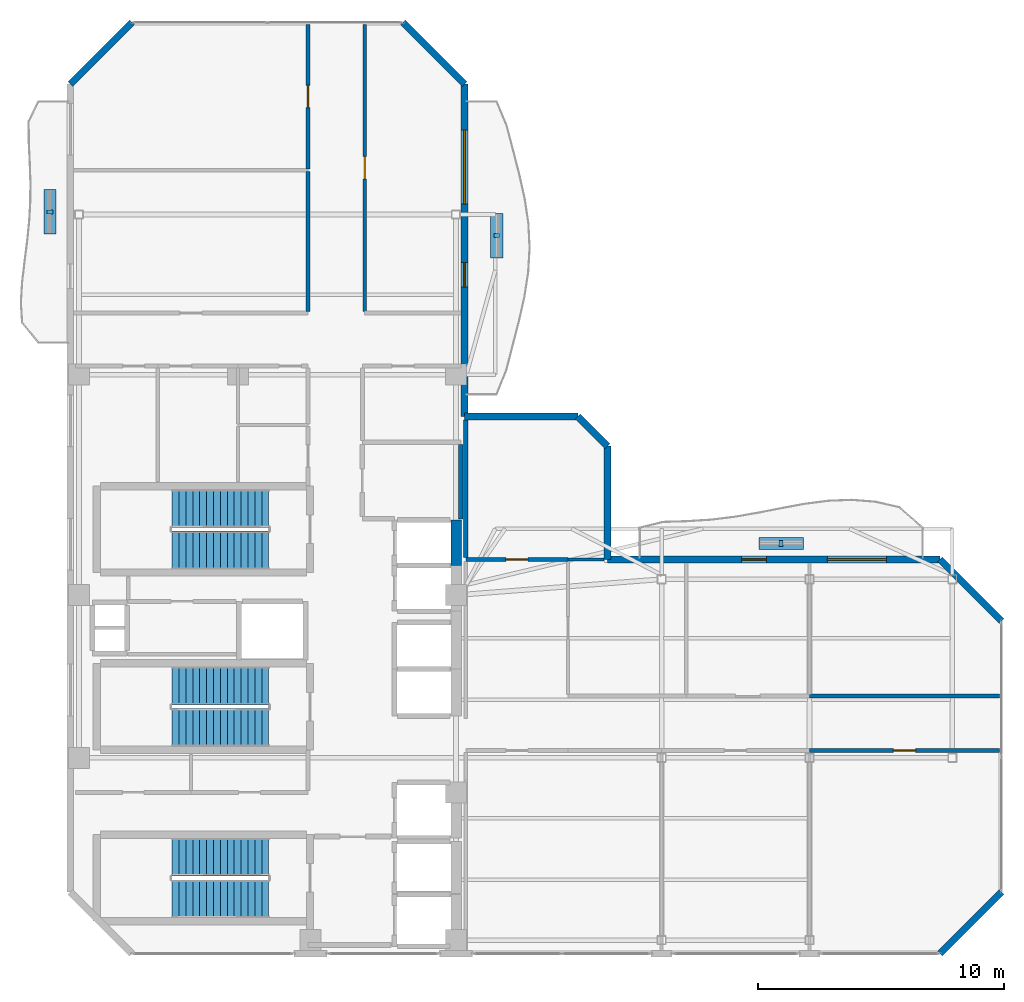
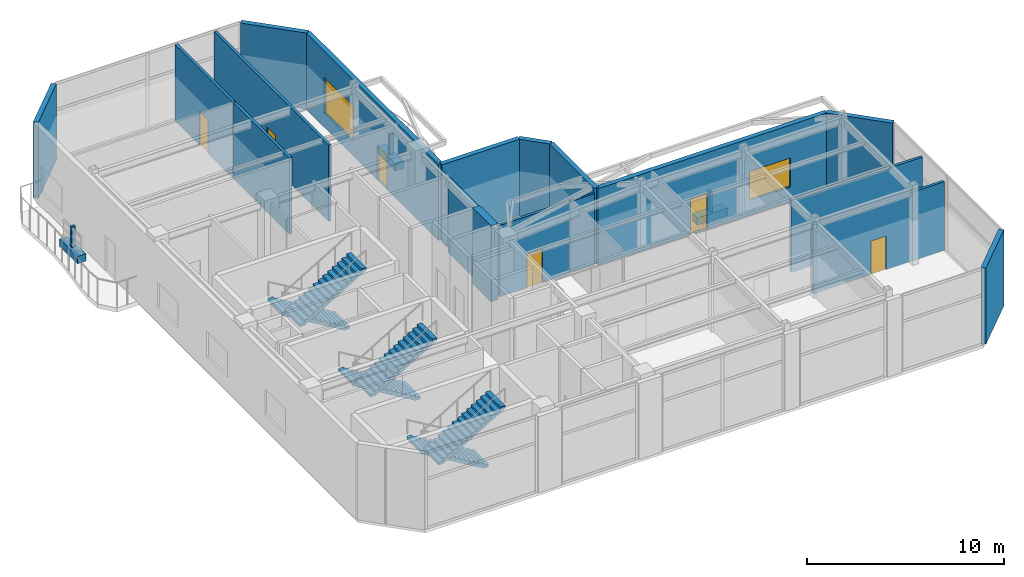
# One storey, part 13 of 15: 19 walls, 6 discrete accessories, 6 doors, 6 stair flights, 2 windows, 8 openings, 3 elements without a shape of their own.
"""IFC4 building model written with IfcOpenShell, lengths in metres."""

from ifc_helpers import new_model, si_unit, direction, frame, frame_2d, origin, origin_2d, place, context, subcontext, project, spatial, polyline, rectangle, outline, extrude, material, layer, layer_set, type_object, element, fill, aggregate, save


model = new_model("IFC4")

# Units and contexts
model_context = context("Model", 3, precision=1e-05, world=origin(), true_north=direction((0.0, 1.0)))
body_context = subcontext(model_context, "Body", "Model", "MODEL_VIEW")
ifc_project = project(units=[si_unit("LENGTHUNIT", "METRE"), si_unit("AREAUNIT", "SQUARE_METRE"), si_unit("VOLUMEUNIT", "CUBIC_METRE"), si_unit("PLANEANGLEUNIT", "RADIAN"), si_unit("MASSUNIT", "GRAM", prefix="KILO")], contexts=[model_context])

# Site, building, storey
site_placement = place(None, origin())
site = spatial("IfcSite", under=ifc_project, at=site_placement, CompositionType="ELEMENT")
building_placement = place(site_placement, origin())
building = spatial("IfcBuilding", under=site, at=building_placement, Name="Mawjaban Terraces University", CompositionType="ELEMENT")
storey_placement = place(building_placement, frame((0.0, 0.0, 306.699951171875)))
storey = spatial("IfcBuildingStorey", under=building, at=storey_placement, Name="L75", CompositionType="ELEMENT", Elevation=306.699951171875)

# Walls
ifc_material_1 = material(Name="Acoustic masonry blockwork", Category="masonry")
ifc_layer_1 = layer(ifc_material_1, 0.179931640625)
ifc_layer_set_1 = layer_set([ifc_layer_1], Name="Acoustic masonry blockwork")
wall_type_1 = type_object("IfcWallType", Name="AcousticStudioWall_180", PredefinedType="PARTITIONING", material=ifc_layer_set_1)
wall_1_placement = place(storey_placement, frame((37.85009765625, 17.64990234375, 0.0), z_axis=(0.0, 0.0, 1.0), x_axis=(0.0, 1.0, 0.0)))
element("IfcWall", 1, at=wall_1_placement, inside=storey, type_object=wall_type_1, Name="L75 Graduate Research Collaboration Studio Partition 39", PredefinedType="PARTITIONING", context=body_context, shape_type="SweptSolid", body=[
    extrude(rectangle(XDim=3.01513671875, YDim=0.179931640625, at=frame_2d((1.507568359375, 0.0))), origin(), (0.0, 0.0, 1.0), 4.277099609375),
])
wall_2_placement = place(storey_placement, frame((38.050048828125, 21.66796875, 0.0), z_axis=(0.0, 0.0, 1.0), x_axis=(0.0, -1.0, 0.0)))
element("IfcWall", 2, at=wall_2_placement, inside=storey, type_object=wall_type_1, Name="L75 Courtyard Viewpoint Study Gallery Partition 43", PredefinedType="PARTITIONING", context=body_context, shape_type="SweptSolid", body=[
    extrude(rectangle(XDim=5.593017578125, YDim=0.179931640625, at=frame_2d((2.79638671875, 0.0))), origin(), (0.0, 0.0, 1.0), 4.277099609375),
])
ifc_material_2 = material(Name="Concrete C50/60", Category="concrete")
ifc_layer_2 = layer(ifc_material_2, 0.419921875)
ifc_layer_set_2 = layer_set([ifc_layer_2], Name="Concrete C50/60")
wall_type_2 = type_object("IfcWallType", Name="CoreShearWall_420", PredefinedType="SHEAR", material=ifc_layer_set_2)
wall_3_placement = place(storey_placement, frame((37.659912109375, 15.75, 0.0), z_axis=(0.0, 0.0, 1.0), x_axis=(0.0, 1.0, 0.0)))
element("IfcWall", 3, at=wall_3_placement, inside=storey, type_object=wall_type_2, Name="L75 Lift OL-2 Hoistway Wall East", PredefinedType="SHEAR", context=body_context, shape_type="SweptSolid", body=[
    extrude(rectangle(XDim=1.85009765625, YDim=0.419921875, at=frame_2d((0.925048828125, 0.0))), origin(), (0.0, 0.0, 1.0), 4.739990234375),
])

# Wall, opening, door
ifc_material_3 = material(Name="Fire-rated gypsum board on steel stud", Category="steel")
ifc_layer_3 = layer(ifc_material_3, 0.159912109375)
ifc_layer_set_3 = layer_set([ifc_layer_3], Name="Fire-rated gypsum board on steel stud")
wall_type_3 = type_object("IfcWallType", Name="CorridorPartition_160", PredefinedType="PARTITIONING", material=ifc_layer_set_3)
wall_4_placement = place(storey_placement, frame((42.199951171875, 16.0, 0.0), z_axis=(0.0, 0.0, 1.0), x_axis=(-1.0, 0.0, 0.0)))
wall_4 = element("IfcWall", 4, at=wall_4_placement, inside=storey, type_object=wall_type_3, Name="L75 Observation East Corridor Partition 19", PredefinedType="PARTITIONING", context=body_context, shape_type="SweptSolid", body=[
    extrude(rectangle(XDim=4.14990234375, YDim=0.159912109375, at=frame_2d((2.074951171875, 0.0))), origin(), (0.0, 0.0, 1.0), 4.43994140625),
])
opening_1_placement = place(wall_4_placement, frame((1.625, 0.0, 0.0)))
opening_1 = element("IfcOpeningElement", 5, at=opening_1_placement, cuts=wall_4, Name="Opening ID-090", PredefinedType="OPENING", context=body_context, shape_type="SweptSolid", body=[
    extrude(rectangle(XDim=0.89990234375, YDim=2.10009765625, at=frame_2d((0.449951171875, 1.050048828125))), frame((0.0, 0.08984375, 0.0), z_axis=(0.0, -1.0, 0.0), x_axis=(1.0, 0.0, 0.0)), (0.0, 0.0, 1.0), 0.179931640625),
])
ifc_material_4 = material(Name="Powder-coated steel frame and solid acoustic timber leaf", Category="steel")
door_type_1 = type_object("IfcDoorType", Name="OfficeDoor_900x2100", OperationType="NOTDEFINED", PredefinedType="DOOR", material=ifc_material_4)
door_1_placement = place(opening_1_placement, origin())
door_1 = element("IfcDoor", 6, at=door_1_placement, inside=storey, type_object=door_type_1, Name="L75 Courtyard Viewpoint Study Gallery Door", OperationType="SINGLE_SWING_LEFT", OverallHeight=2.10009765625, OverallWidth=0.89990234375, PredefinedType="DOOR", context=body_context, shape_type="SweptSolid", body=[
    extrude(rectangle(XDim=0.89990234375, YDim=2.10009765625, at=frame_2d((0.449951171875, 1.050048828125))), frame((0.0, 0.02490234375, 0.0), z_axis=(0.0, -1.0, 0.0), x_axis=(1.0, 0.0, 0.0)), (0.0, 0.0, 1.0), 0.050048828125),
])
fill(opening_1, door_1)

wall_5_placement = place(storey_placement, frame((52.0, 8.25, 0.0), z_axis=(0.0, 0.0, 1.0), x_axis=(1.0, 0.0, 0.0)))
wall_5 = element("IfcWall", 7, at=wall_5_placement, inside=storey, type_object=wall_type_3, Name="L75 Observation Gallery Corridor Partition 23", PredefinedType="PARTITIONING", context=body_context, shape_type="SweptSolid", body=[
    extrude(rectangle(XDim=7.719970703125, YDim=0.159912109375, at=frame_2d((3.85986328125, 0.0))), origin(), (0.0, 0.0, 1.0), 4.277099609375),
])
opening_2_placement = place(wall_5_placement, frame((3.409912109375, 0.0, 0.0)))
opening_2 = element("IfcOpeningElement", 8, at=opening_2_placement, cuts=wall_5, Name="Opening ID-090", PredefinedType="OPENING", context=body_context, shape_type="SweptSolid", body=[
    extrude(rectangle(XDim=0.89990234375, YDim=2.10009765625, at=frame_2d((0.449951171875, 1.050048828125))), frame((0.0, 0.08984375, 0.0), z_axis=(0.0, -1.0, 0.0), x_axis=(1.0, 0.0, 0.0)), (0.0, 0.0, 1.0), 0.179931640625),
])
door_2_placement = place(opening_2_placement, origin())
door_2 = element("IfcDoor", 9, at=door_2_placement, inside=storey, type_object=door_type_1, Name="L75 Panoramic Mecca Horizon Lookout Hall Door", OperationType="SINGLE_SWING_RIGHT", OverallHeight=2.10009765625, OverallWidth=0.89990234375, PredefinedType="DOOR", context=body_context, shape_type="SweptSolid", body=[
    extrude(rectangle(XDim=0.89990234375, YDim=2.10009765625, at=frame_2d((0.449951171875, 1.050048828125))), frame((0.0, 0.02490234375, 0.0), z_axis=(0.0, -1.0, 0.0), x_axis=(1.0, 0.0, 0.0)), (0.0, 0.0, 1.0), 0.050048828125),
])
fill(opening_2, door_2)

# Walls
wall_6_placement = place(storey_placement, frame((59.719970703125, 10.449951171875, 0.0), z_axis=(0.0, 0.0, 1.0), x_axis=(-1.0, 0.0, 0.0)))
element("IfcWall", 10, at=wall_6_placement, inside=storey, type_object=wall_type_3, Name="L75 Observation Gallery Corridor Partition 25", PredefinedType="PARTITIONING", context=body_context, shape_type="SweptSolid", body=[
    extrude(rectangle(XDim=7.719970703125, YDim=0.159912109375, at=frame_2d((3.85986328125, 0.0))), origin(), (0.0, 0.0, 1.0), 4.47412109375),
])
wall_7_placement = place(storey_placement, frame((31.64990234375, 31.741943359375, 0.0), z_axis=(0.0, 0.0, 1.0), x_axis=(0.0, -1.0, 0.0)))
element("IfcWall", 11, at=wall_7_placement, inside=storey, type_object=wall_type_3, Name="L75 Observation North Corridor Partition 34", PredefinedType="PARTITIONING", context=body_context, shape_type="SweptSolid", body=[
    extrude(rectangle(XDim=5.6669921875, YDim=0.159912109375, at=frame_2d((2.83349609375, 0.0))), origin(), (0.0, 0.0, 1.0), 4.739990234375),
])

# Wall, opening, door
wall_8_placement = place(storey_placement, frame((31.64990234375, 37.719970703125, 0.0), z_axis=(0.0, 0.0, 1.0), x_axis=(0.0, -1.0, 0.0)))
wall_8 = element("IfcWall", 12, at=wall_8_placement, inside=storey, type_object=wall_type_3, Name="L75 Observation North Corridor Partition 35", PredefinedType="PARTITIONING", context=body_context, shape_type="SweptSolid", body=[
    extrude(rectangle(XDim=5.862060546875, YDim=0.159912109375, at=frame_2d((2.93115234375, 0.0))), origin(), (0.0, 0.0, 1.0), 4.739990234375),
])
opening_3_placement = place(wall_8_placement, frame((2.48095703125, 0.0, 0.0)))
opening_3 = element("IfcOpeningElement", 13, at=opening_3_placement, cuts=wall_8, Name="Opening ID-090", PredefinedType="OPENING", context=body_context, shape_type="SweptSolid", body=[
    extrude(rectangle(XDim=0.89990234375, YDim=2.10009765625, at=frame_2d((0.449951171875, 1.050048828125))), frame((0.0, 0.08984375, 0.0), z_axis=(0.0, -1.0, 0.0), x_axis=(1.0, 0.0, 0.0)), (0.0, 0.0, 1.0), 0.179931640625),
])
door_3_placement = place(opening_3_placement, origin())
door_3 = element("IfcDoor", 14, at=door_3_placement, inside=storey, type_object=door_type_1, Name="L75 Architecture Heritage Gallery 2 Door", OperationType="SINGLE_SWING_LEFT", OverallHeight=2.10009765625, OverallWidth=0.89990234375, PredefinedType="DOOR", context=body_context, shape_type="SweptSolid", body=[
    extrude(rectangle(XDim=0.89990234375, YDim=2.10009765625, at=frame_2d((0.449951171875, 1.050048828125))), frame((0.0, 0.02490234375, 0.0), z_axis=(0.0, -1.0, 0.0), x_axis=(1.0, 0.0, 0.0)), (0.0, 0.0, 1.0), 0.050048828125),
])
fill(opening_3, door_3)

wall_9_placement = place(storey_placement, frame((33.949951171875, 26.074951171875, 0.0), z_axis=(0.0, 0.0, 1.0), x_axis=(0.0, 1.0, 0.0)))
wall_9 = element("IfcWall", 15, at=wall_9_placement, inside=storey, type_object=wall_type_3, Name="L75 Observation North Corridor Partition 38", PredefinedType="PARTITIONING", context=body_context, shape_type="SweptSolid", body=[
    extrude(rectangle(XDim=11.64501953125, YDim=0.159912109375, at=frame_2d((5.822509765625, 0.0))), origin(), (0.0, 0.0, 1.0), 4.739990234375),
])
opening_4_placement = place(wall_9_placement, frame((5.3720703125, 0.0, 0.0)))
opening_4 = element("IfcOpeningElement", 16, at=opening_4_placement, cuts=wall_9, Name="Opening ID-090", PredefinedType="OPENING", context=body_context, shape_type="SweptSolid", body=[
    extrude(rectangle(XDim=0.89990234375, YDim=2.10009765625, at=frame_2d((0.449951171875, 1.050048828125))), frame((0.0, 0.08984375, 0.0), z_axis=(0.0, -1.0, 0.0), x_axis=(1.0, 0.0, 0.0)), (0.0, 0.0, 1.0), 0.179931640625),
])
door_4_placement = place(opening_4_placement, origin())
door_4 = element("IfcDoor", 17, at=door_4_placement, inside=storey, type_object=door_type_1, Name="L75 Observatory Curatorial Office Door", OperationType="SINGLE_SWING_RIGHT", OverallHeight=2.10009765625, OverallWidth=0.89990234375, PredefinedType="DOOR", context=body_context, shape_type="SweptSolid", body=[
    extrude(rectangle(XDim=0.89990234375, YDim=2.10009765625, at=frame_2d((0.449951171875, 1.050048828125))), frame((0.0, 0.02490234375, 0.0), z_axis=(0.0, -1.0, 0.0), x_axis=(1.0, 0.0, 0.0)), (0.0, 0.0, 1.0), 0.050048828125),
])
fill(opening_4, door_4)

# Walls
ifc_material_5 = material(Name="Insulated terracotta rainscreen on concrete backup C40/50", Category="masonry")
ifc_layer_4 = layer(ifc_material_5, 0.27490234375)
ifc_layer_set_4 = layer_set([ifc_layer_4], Name="Insulated terracotta rainscreen on concrete backup C40/50")
wall_type_4 = type_object("IfcWallType", Name="ExtTerracottaWall_275", PredefinedType="SOLIDWALL", material=ifc_layer_set_4)
for number, where, z_axis, x_axis, name in (
    (18, (57.300048828125, 0.0, 0.0), (0.0, 0.0, 1.0), (0.707106781187, 0.707106781187, 0.0), "L75 Exterior Terracotta Wall 2"),
    (19, (59.800048828125, 13.5, 0.0), (0.0, 0.0, 1.0), (-0.707106781187, 0.707106781187, 0.0), "L75 Exterior Terracotta Wall 4"),
):
    element("IfcWall", number, at=place(storey_placement, frame(where, z_axis=z_axis, x_axis=x_axis)), inside=storey, type_object=wall_type_4, Name=name, PredefinedType="SOLIDWALL", context=body_context, shape_type="SweptSolid", body=[
        extrude(rectangle(XDim=3.53564453125, YDim=0.27490234375, at=frame_2d((1.767822265625, 0.0))), origin(), (0.0, 0.0, 1.0), 4.739990234375),
    ])

# Wall, openings, door, window
wall_10_placement = place(storey_placement, frame((57.300048828125, 16.0, 0.0), z_axis=(0.0, 0.0, 1.0), x_axis=(-1.0, 0.0, 0.0)))
wall_10 = element("IfcWall", 20, at=wall_10_placement, inside=storey, type_object=wall_type_4, Name="L75 Exterior Terracotta Wall 5", PredefinedType="SOLIDWALL", context=body_context, shape_type="SweptSolid", body=[
    extrude(rectangle(XDim=13.5, YDim=0.27490234375, at=frame_2d((6.75, 0.0))), origin(), (0.0, 0.0, 1.0), 4.739990234375),
])
opening_5_placement = place(wall_10_placement, frame((7.050048828125, 0.0, 0.0)))
opening_5 = element("IfcOpeningElement", 21, at=opening_5_placement, cuts=wall_10, Name="Opening BD-100", PredefinedType="OPENING", context=body_context, shape_type="SweptSolid", body=[
    extrude(rectangle(XDim=1.0, YDim=2.199951171875, at=frame_2d((0.5, 1.10009765625))), frame((0.0, 0.1474609375, 0.0), z_axis=(0.0, -1.0, 0.0), x_axis=(1.0, 0.0, 0.0)), (0.0, 0.0, 1.0), 0.294921875),
])
opening_6_placement = place(wall_10_placement, frame((2.175048828125, 0.0, 0.89990234375)))
opening_6 = element("IfcOpeningElement", 22, at=opening_6_placement, cuts=wall_10, Name="Opening W-08", PredefinedType="OPENING", context=body_context, shape_type="SweptSolid", body=[
    extrude(rectangle(XDim=2.39990234375, YDim=1.800048828125, at=frame_2d((1.199951171875, 0.89990234375))), frame((0.0, 0.1474609375, 0.0), z_axis=(0.0, -1.0, 0.0), x_axis=(1.0, 0.0, 0.0)), (0.0, 0.0, 1.0), 0.294921875),
])
ifc_material_6 = material(Name="Thermally broken anodised aluminium and laminated safety glass", Category="aluminium")
door_type_2 = type_object("IfcDoorType", Name="BalconyGlazedDoor_1000x2200", OperationType="NOTDEFINED", PredefinedType="DOOR", material=ifc_material_6)
door_5_placement = place(opening_5_placement, origin())
door_5 = element("IfcDoor", 23, at=door_5_placement, inside=storey, type_object=door_type_2, Name="L75 Balcony Access Door inner_north", OperationType="SINGLE_SWING_RIGHT", OverallHeight=2.199951171875, OverallWidth=1.0, PredefinedType="DOOR", context=body_context, shape_type="SweptSolid", body=[
    extrude(rectangle(XDim=1.0, YDim=2.199951171875, at=frame_2d((0.5, 1.10009765625))), frame((0.0, 0.02490234375, 0.0), z_axis=(0.0, -1.0, 0.0), x_axis=(1.0, 0.0, 0.0)), (0.0, 0.0, 1.0), 0.050048828125),
])
fill(opening_5, door_5)
ifc_material_7 = material(Name="Low-E solar-control double glazing in thermally broken aluminium frame", Category="aluminium")
window_type_1 = type_object("IfcWindowType", Name="Win_2400x1800", PartitioningType="SINGLE_PANEL", PredefinedType="WINDOW", material=ifc_material_7)
window_1_placement = place(opening_6_placement, origin())
window_1 = element("IfcWindow", 24, at=window_1_placement, inside=storey, type_object=window_type_1, Name="L75 Facade Window 5.1", OverallHeight=1.800048828125, OverallWidth=2.39990234375, PartitioningType="SINGLE_PANEL", PredefinedType="WINDOW", context=body_context, shape_type="SweptSolid", body=[
    extrude(rectangle(XDim=2.39990234375, YDim=1.800048828125, at=frame_2d((1.199951171875, 0.89990234375))), frame((0.0, 0.030029296875, 0.0), z_axis=(0.0, -1.0, 0.0), x_axis=(1.0, 0.0, 0.0)), (0.0, 0.0, 1.0), 0.06005859375),
])
fill(opening_6, window_1)

# Walls
wall_11_placement = place(storey_placement, frame((43.800048828125, 16.0, 0.0), z_axis=(0.0, 0.0, 1.0), x_axis=(0.0, 1.0, 0.0)))
element("IfcWall", 25, at=wall_11_placement, inside=storey, type_object=wall_type_4, Name="L75 Exterior Terracotta Wall 6", PredefinedType="SOLIDWALL", context=body_context, shape_type="SweptSolid", body=[
    extrude(rectangle(XDim=4.60009765625, YDim=0.27490234375, at=frame_2d((2.300048828125, 0.0))), origin(), (0.0, 0.0, 1.0), 4.739990234375),
])
wall_12_placement = place(storey_placement, frame((43.800048828125, 20.60009765625, 0.0), z_axis=(0.0, 0.0, 1.0), x_axis=(-0.707106781187, 0.707106781187, 0.0)))
element("IfcWall", 26, at=wall_12_placement, inside=storey, type_object=wall_type_4, Name="L75 Exterior Terracotta Wall 7", PredefinedType="SOLIDWALL", context=body_context, shape_type="SweptSolid", body=[
    extrude(rectangle(XDim=1.697021484375, YDim=0.27490234375, at=frame_2d((0.8486328125, 0.0))), origin(), (0.0, 0.0, 1.0), 4.739990234375),
])
wall_13_placement = place(storey_placement, frame((42.60009765625, 21.800048828125, 0.0), z_axis=(0.0, 0.0, 1.0), x_axis=(-1.0, 0.0, 0.0)))
element("IfcWall", 27, at=wall_13_placement, inside=storey, type_object=wall_type_4, Name="L75 Exterior Terracotta Wall 8", PredefinedType="SOLIDWALL", context=body_context, shape_type="SweptSolid", body=[
    extrude(rectangle(XDim=4.60009765625, YDim=0.27490234375, at=frame_2d((2.300048828125, 0.0))), origin(), (0.0, 0.0, 1.0), 4.739990234375),
])

# Wall, openings, door, window
wall_14_placement = place(storey_placement, frame((38.0, 21.800048828125, 0.0), z_axis=(0.0, 0.0, 1.0), x_axis=(0.0, 1.0, 0.0)))
wall_14 = element("IfcWall", 28, at=wall_14_placement, inside=storey, type_object=wall_type_4, Name="L75 Exterior Terracotta Wall 9", PredefinedType="SOLIDWALL", context=body_context, shape_type="SweptSolid", body=[
    extrude(rectangle(XDim=13.5, YDim=0.27490234375, at=frame_2d((6.75, 0.0))), origin(), (0.0, 0.0, 1.0), 4.739990234375),
])
opening_7_placement = place(wall_14_placement, frame((5.25, 0.0, 0.0)))
opening_7 = element("IfcOpeningElement", 29, at=opening_7_placement, cuts=wall_14, Name="Opening BD-100", PredefinedType="OPENING", context=body_context, shape_type="SweptSolid", body=[
    extrude(rectangle(XDim=1.0, YDim=2.199951171875, at=frame_2d((0.5, 1.10009765625))), frame((0.0, 0.1474609375, 0.0), z_axis=(0.0, -1.0, 0.0), x_axis=(1.0, 0.0, 0.0)), (0.0, 0.0, 1.0), 0.294921875),
])
opening_8_placement = place(wall_14_placement, frame((8.625, 0.0, 0.89990234375)))
opening_8 = element("IfcOpeningElement", 30, at=opening_8_placement, cuts=wall_14, Name="Opening W-12", PredefinedType="OPENING", context=body_context, shape_type="SweptSolid", body=[
    extrude(rectangle(XDim=3.0, YDim=2.199951171875, at=frame_2d((1.5, 1.10009765625))), frame((0.0, 0.1474609375, 0.0), z_axis=(0.0, -1.0, 0.0), x_axis=(1.0, 0.0, 0.0)), (0.0, 0.0, 1.0), 0.294921875),
])
door_6_placement = place(opening_7_placement, origin())
door_6 = element("IfcDoor", 31, at=door_6_placement, inside=storey, type_object=door_type_2, Name="L75 Balcony Access Door inner_east", OperationType="SINGLE_SWING_RIGHT", OverallHeight=2.199951171875, OverallWidth=1.0, PredefinedType="DOOR", context=body_context, shape_type="SweptSolid", body=[
    extrude(rectangle(XDim=1.0, YDim=2.199951171875, at=frame_2d((0.5, 1.10009765625))), frame((0.0, 0.02490234375, 0.0), z_axis=(0.0, -1.0, 0.0), x_axis=(1.0, 0.0, 0.0)), (0.0, 0.0, 1.0), 0.050048828125),
])
fill(opening_7, door_6)
window_type_2 = type_object("IfcWindowType", Name="Win_3000x2200", PartitioningType="SINGLE_PANEL", PredefinedType="WINDOW", material=ifc_material_7)
window_2_placement = place(opening_8_placement, origin())
window_2 = element("IfcWindow", 32, at=window_2_placement, inside=storey, type_object=window_type_2, Name="L75 Facade Window 9.2", OverallHeight=2.199951171875, OverallWidth=3.0, PartitioningType="SINGLE_PANEL", PredefinedType="WINDOW", context=body_context, shape_type="SweptSolid", body=[
    extrude(rectangle(XDim=3.0, YDim=2.199951171875, at=frame_2d((1.5, 1.10009765625))), frame((0.0, 0.030029296875, 0.0), z_axis=(0.0, -1.0, 0.0), x_axis=(1.0, 0.0, 0.0)), (0.0, 0.0, 1.0), 0.06005859375),
])
fill(opening_8, window_2)

# Walls
for number, where, z_axis, x_axis, name in (
    (33, (38.0, 35.300048828125, 0.0), (0.0, 0.0, 1.0), (-0.707106781187, 0.707106781187, 0.0), "L75 Exterior Terracotta Wall 10"),
    (34, (24.5, 37.800048828125, 0.0), (0.0, 0.0, 1.0), (-0.707106781187, -0.707106781187, 0.0), "L75 Exterior Terracotta Wall 12"),
):
    element("IfcWall", number, at=place(storey_placement, frame(where, z_axis=z_axis, x_axis=x_axis)), inside=storey, type_object=wall_type_4, Name=name, PredefinedType="SOLIDWALL", context=body_context, shape_type="SweptSolid", body=[
        extrude(rectangle(XDim=3.53564453125, YDim=0.27490234375, at=frame_2d((1.767822265625, 0.0))), origin(), (0.0, 0.0, 1.0), 4.739990234375),
    ])
ifc_material_8 = material(Name="Acoustic operable panel partition", Category="masonry")
ifc_layer_5 = layer(ifc_material_8, 0.110107421875)
ifc_layer_set_5 = layer_set([ifc_layer_5], Name="Acoustic operable panel partition")
wall_type_5 = type_object("IfcWallType", Name="OperableSeminarWall_110", PredefinedType="MOVABLE", material=ifc_layer_set_5)
wall_15_placement = place(storey_placement, frame((42.199951171875, 16.0, 0.0), z_axis=(0.0, 0.0, 1.0), x_axis=(1.0, 0.0, 0.0)))
element("IfcWall", 35, at=wall_15_placement, inside=storey, type_object=wall_type_5, Name="L75 Courtyard Viewpoint Study Gallery Partition 20", PredefinedType="MOVABLE", context=body_context, shape_type="SweptSolid", body=[
    extrude(rectangle(XDim=1.467041015625, YDim=0.110107421875, at=frame_2d((0.7333984375, 0.0))), origin(), (0.0, 0.0, 1.0), 4.43994140625),
])

# Stair, stair flights
ifc_material_9 = material(Name="Concrete C40/50", Category="concrete")
stair_type = type_object("IfcStairType", Name="Stair_Core1550_H50", PredefinedType="HALF_TURN_STAIR", material=ifc_material_9)
stair_1_placement = place(storey_placement, origin())
stair_1 = element("IfcStair", 36, at=stair_1_placement, inside=storey, type_object=stair_type, Name="L75 Core Exit Stair 1", PredefinedType="HALF_TURN_STAIR")
stair_flight_type = type_object("IfcStairFlightType", Name="Flight_Core1550_H50", PredefinedType="STRAIGHT", material=ifc_material_9)
stair_flight_1_placement = place(storey_placement, frame((30.050048828125, 3.925048828125, 0.0), z_axis=(0.0, 0.0, 1.0), x_axis=(-1.0, 0.0, 0.0)))
stair_flight_1 = element("IfcStairFlight", 37, at=stair_flight_1_placement, type_object=stair_flight_type, Name="ST-1 flight 1", NumberOfRisers=15, NumberOfTreads=14, PredefinedType="STRAIGHT", RiserHeight=0.166666667, TreadLength=0.28, context=body_context, shape_type="SweptSolid", body=[
    extrude(outline(polyline([(0.0, 0.0), (0.0, 0.166748046875), (0.280029296875, 0.166748046875), (0.280029296875, 0.333251953125), (0.56005859375, 0.333251953125), (0.56005859375, 0.5), (0.840087890625, 0.5), (0.840087890625, 0.666748046875), (1.1201171875, 0.666748046875), (1.1201171875, 0.833251953125), (1.39990234375, 0.833251953125), (1.39990234375, 1.0), (1.679931640625, 1.0), (1.679931640625, 1.166748046875), (1.9599609375, 1.166748046875), (1.9599609375, 1.333251953125), (2.239990234375, 1.333251953125), (2.239990234375, 1.5), (2.52001953125, 1.5), (2.52001953125, 1.666748046875), (2.800048828125, 1.666748046875), (2.800048828125, 1.833251953125), (3.080078125, 1.833251953125), (3.080078125, 2.0), (3.360107421875, 2.0), (3.360107421875, 2.166748046875), (3.639892578125, 2.166748046875), (3.639892578125, 2.333251953125), (3.919921875, 2.333251953125), (3.919921875, 2.5), (3.919921875, 2.158935546875), (0.29296875, 0.0), (0.0, 0.0)])), frame((0.0, 0.77490234375, 0.0), z_axis=(0.0, -1.0, 0.0), x_axis=(1.0, 0.0, 0.0)), (0.0, 0.0, 1.0), 1.550048828125),
])
stair_flight_2_placement = place(storey_placement, frame((26.1298828125, 2.22509765625, 2.5), z_axis=(0.0, 0.0, 1.0), x_axis=(1.0, 0.0, 0.0)))
stair_flight_2 = element("IfcStairFlight", 38, at=stair_flight_2_placement, type_object=stair_flight_type, Name="ST-1 flight 2", NumberOfRisers=15, NumberOfTreads=14, PredefinedType="STRAIGHT", RiserHeight=0.166666667, TreadLength=0.28, context=body_context, shape_type="SweptSolid", body=[
    extrude(outline(polyline([(0.0, 0.0), (0.0, 0.166748046875), (0.280029296875, 0.166748046875), (0.280029296875, 0.333251953125), (0.56005859375, 0.333251953125), (0.56005859375, 0.5), (0.840087890625, 0.5), (0.840087890625, 0.666748046875), (1.1201171875, 0.666748046875), (1.1201171875, 0.833251953125), (1.39990234375, 0.833251953125), (1.39990234375, 1.0), (1.679931640625, 1.0), (1.679931640625, 1.166748046875), (1.9599609375, 1.166748046875), (1.9599609375, 1.333251953125), (2.239990234375, 1.333251953125), (2.239990234375, 1.5), (2.52001953125, 1.5), (2.52001953125, 1.666748046875), (2.800048828125, 1.666748046875), (2.800048828125, 1.833251953125), (3.080078125, 1.833251953125), (3.080078125, 2.0), (3.360107421875, 2.0), (3.360107421875, 2.166748046875), (3.639892578125, 2.166748046875), (3.639892578125, 2.333251953125), (3.919921875, 2.333251953125), (3.919921875, 2.5), (3.919921875, 2.158935546875), (0.29296875, 0.0), (0.0, 0.0)])), frame((0.0, 0.77490234375, 0.0), z_axis=(0.0, -1.0, 0.0), x_axis=(1.0, 0.0, 0.0)), (0.0, 0.0, 1.0), 1.550048828125),
])
aggregate(stair_1, [stair_flight_1, stair_flight_2])

stair_2_placement = place(storey_placement, origin())
stair_2 = element("IfcStair", 39, at=stair_2_placement, inside=storey, type_object=stair_type, Name="L75 Core Exit Stair 2", PredefinedType="HALF_TURN_STAIR")
stair_flight_3_placement = place(storey_placement, frame((30.050048828125, 18.074951171875, 0.0), z_axis=(0.0, 0.0, 1.0), x_axis=(-1.0, 0.0, 0.0)))
stair_flight_3 = element("IfcStairFlight", 40, at=stair_flight_3_placement, type_object=stair_flight_type, Name="ST-2 flight 1", NumberOfRisers=15, NumberOfTreads=14, PredefinedType="STRAIGHT", RiserHeight=0.166666667, TreadLength=0.28, context=body_context, shape_type="SweptSolid", body=[
    extrude(outline(polyline([(0.0, 0.0), (0.0, 0.166748046875), (0.280029296875, 0.166748046875), (0.280029296875, 0.333251953125), (0.56005859375, 0.333251953125), (0.56005859375, 0.5), (0.840087890625, 0.5), (0.840087890625, 0.666748046875), (1.1201171875, 0.666748046875), (1.1201171875, 0.833251953125), (1.39990234375, 0.833251953125), (1.39990234375, 1.0), (1.679931640625, 1.0), (1.679931640625, 1.166748046875), (1.9599609375, 1.166748046875), (1.9599609375, 1.333251953125), (2.239990234375, 1.333251953125), (2.239990234375, 1.5), (2.52001953125, 1.5), (2.52001953125, 1.666748046875), (2.800048828125, 1.666748046875), (2.800048828125, 1.833251953125), (3.080078125, 1.833251953125), (3.080078125, 2.0), (3.360107421875, 2.0), (3.360107421875, 2.166748046875), (3.639892578125, 2.166748046875), (3.639892578125, 2.333251953125), (3.919921875, 2.333251953125), (3.919921875, 2.5), (3.919921875, 2.158935546875), (0.29296875, 0.0), (0.0, 0.0)])), frame((0.0, 0.77490234375, 0.0), z_axis=(0.0, -1.0, 0.0), x_axis=(1.0, 0.0, 0.0)), (0.0, 0.0, 1.0), 1.550048828125),
])
stair_flight_4_placement = place(storey_placement, frame((26.1298828125, 16.375, 2.5), z_axis=(0.0, 0.0, 1.0), x_axis=(1.0, 0.0, 0.0)))
stair_flight_4 = element("IfcStairFlight", 41, at=stair_flight_4_placement, type_object=stair_flight_type, Name="ST-2 flight 2", NumberOfRisers=15, NumberOfTreads=14, PredefinedType="STRAIGHT", RiserHeight=0.166666667, TreadLength=0.28, context=body_context, shape_type="SweptSolid", body=[
    extrude(outline(polyline([(0.0, 0.0), (0.0, 0.166748046875), (0.280029296875, 0.166748046875), (0.280029296875, 0.333251953125), (0.56005859375, 0.333251953125), (0.56005859375, 0.5), (0.840087890625, 0.5), (0.840087890625, 0.666748046875), (1.1201171875, 0.666748046875), (1.1201171875, 0.833251953125), (1.39990234375, 0.833251953125), (1.39990234375, 1.0), (1.679931640625, 1.0), (1.679931640625, 1.166748046875), (1.9599609375, 1.166748046875), (1.9599609375, 1.333251953125), (2.239990234375, 1.333251953125), (2.239990234375, 1.5), (2.52001953125, 1.5), (2.52001953125, 1.666748046875), (2.800048828125, 1.666748046875), (2.800048828125, 1.833251953125), (3.080078125, 1.833251953125), (3.080078125, 2.0), (3.360107421875, 2.0), (3.360107421875, 2.166748046875), (3.639892578125, 2.166748046875), (3.639892578125, 2.333251953125), (3.919921875, 2.333251953125), (3.919921875, 2.5), (3.919921875, 2.158935546875), (0.29296875, 0.0), (0.0, 0.0)])), frame((0.0, 0.77490234375, 0.0), z_axis=(0.0, -1.0, 0.0), x_axis=(1.0, 0.0, 0.0)), (0.0, 0.0, 1.0), 1.550048828125),
])
aggregate(stair_2, [stair_flight_3, stair_flight_4])

stair_3_placement = place(storey_placement, origin())
stair_3 = element("IfcStair", 42, at=stair_3_placement, inside=storey, type_object=stair_type, Name="L75 Core Exit Stair 3", PredefinedType="HALF_TURN_STAIR")
stair_flight_5_placement = place(storey_placement, frame((30.050048828125, 10.875, 0.0), z_axis=(0.0, 0.0, 1.0), x_axis=(-1.0, 0.0, 0.0)))
stair_flight_5 = element("IfcStairFlight", 43, at=stair_flight_5_placement, type_object=stair_flight_type, Name="ST-3 flight 1", NumberOfRisers=15, NumberOfTreads=14, PredefinedType="STRAIGHT", RiserHeight=0.166666667, TreadLength=0.28, context=body_context, shape_type="SweptSolid", body=[
    extrude(outline(polyline([(0.0, 0.0), (0.0, 0.166748046875), (0.280029296875, 0.166748046875), (0.280029296875, 0.333251953125), (0.56005859375, 0.333251953125), (0.56005859375, 0.5), (0.840087890625, 0.5), (0.840087890625, 0.666748046875), (1.1201171875, 0.666748046875), (1.1201171875, 0.833251953125), (1.39990234375, 0.833251953125), (1.39990234375, 1.0), (1.679931640625, 1.0), (1.679931640625, 1.166748046875), (1.9599609375, 1.166748046875), (1.9599609375, 1.333251953125), (2.239990234375, 1.333251953125), (2.239990234375, 1.5), (2.52001953125, 1.5), (2.52001953125, 1.666748046875), (2.800048828125, 1.666748046875), (2.800048828125, 1.833251953125), (3.080078125, 1.833251953125), (3.080078125, 2.0), (3.360107421875, 2.0), (3.360107421875, 2.166748046875), (3.639892578125, 2.166748046875), (3.639892578125, 2.333251953125), (3.919921875, 2.333251953125), (3.919921875, 2.5), (3.919921875, 2.158935546875), (0.29296875, 0.0), (0.0, 0.0)])), frame((0.0, 0.77490234375, 0.0), z_axis=(0.0, -1.0, 0.0), x_axis=(1.0, 0.0, 0.0)), (0.0, 0.0, 1.0), 1.550048828125),
])
stair_flight_6_placement = place(storey_placement, frame((26.1298828125, 9.175048828125, 2.5), z_axis=(0.0, 0.0, 1.0), x_axis=(1.0, 0.0, 0.0)))
stair_flight_6 = element("IfcStairFlight", 44, at=stair_flight_6_placement, type_object=stair_flight_type, Name="ST-3 flight 2", NumberOfRisers=15, NumberOfTreads=14, PredefinedType="STRAIGHT", RiserHeight=0.166666667, TreadLength=0.28, context=body_context, shape_type="SweptSolid", body=[
    extrude(outline(polyline([(0.0, 0.0), (0.0, 0.166748046875), (0.280029296875, 0.166748046875), (0.280029296875, 0.333251953125), (0.56005859375, 0.333251953125), (0.56005859375, 0.5), (0.840087890625, 0.5), (0.840087890625, 0.666748046875), (1.1201171875, 0.666748046875), (1.1201171875, 0.833251953125), (1.39990234375, 0.833251953125), (1.39990234375, 1.0), (1.679931640625, 1.0), (1.679931640625, 1.166748046875), (1.9599609375, 1.166748046875), (1.9599609375, 1.333251953125), (2.239990234375, 1.333251953125), (2.239990234375, 1.5), (2.52001953125, 1.5), (2.52001953125, 1.666748046875), (2.800048828125, 1.666748046875), (2.800048828125, 1.833251953125), (3.080078125, 1.833251953125), (3.080078125, 2.0), (3.360107421875, 2.0), (3.360107421875, 2.166748046875), (3.639892578125, 2.166748046875), (3.639892578125, 2.333251953125), (3.919921875, 2.333251953125), (3.919921875, 2.5), (3.919921875, 2.158935546875), (0.29296875, 0.0), (0.0, 0.0)])), frame((0.0, 0.77490234375, 0.0), z_axis=(0.0, -1.0, 0.0), x_axis=(1.0, 0.0, 0.0)), (0.0, 0.0, 1.0), 1.550048828125),
])
aggregate(stair_3, [stair_flight_5, stair_flight_6])

# Discrete accessories
ifc_material_10 = material(Name="Stainless steel 316L", Category="steel")
discrete_accessory_type_1 = type_object("IfcDiscreteAccessoryType", Name="FacadeScreenBracket_Steel", PredefinedType="BRACKET", material=ifc_material_10)
for number, where, z_axis, x_axis, name in (
    (45, (21.175048828125, 30.10791015625, 0.419921875), (0.0, 0.0, 1.0), (0.0, 1.0, 0.0), "L75 Balcony Screen Support Bracket west"),
    (46, (50.85009765625, 16.64501953125, 0.419921875), (0.0, 0.0, 1.0), (1.0, 0.0, 0.0), "L75 Balcony Screen Support Bracket inner_north"),
    (47, (39.30810546875, 29.14599609375, 0.419921875), (0.0, 0.0, 1.0), (0.0, 1.0, 0.0), "L75 Balcony Screen Support Bracket inner_east"),
):
    element("IfcDiscreteAccessory", number, at=place(storey_placement, frame(where, z_axis=z_axis, x_axis=x_axis)), inside=storey, type_object=discrete_accessory_type_1, Name=name, PredefinedType="BRACKET", context=body_context, shape_type="SweptSolid", body=[
        extrude(rectangle(XDim=0.159912109375, YDim=0.239990234375, at=origin_2d()), origin(), (0.0, 0.0, 1.0), 1.300048828125),
    ])
ifc_material_11 = material(Name="Precast architectural terracotta planter with engineered planting soil", Category="masonry")
discrete_accessory_type_2 = type_object("IfcDiscreteAccessoryType", Name="IrrigatedPlanterTrough_450", PredefinedType="USERDEFINED", material=ifc_material_11)
for number, where, z_axis, x_axis, name in (
    (48, (21.175048828125, 30.10791015625, -0.0048828125), (0.0, 0.0, 1.0), (0.0, 1.0, 0.0), "L75 Balcony Irrigated Planter west"),
    (49, (50.85009765625, 16.64501953125, -0.0048828125), (0.0, 0.0, 1.0), (1.0, 0.0, 0.0), "L75 Balcony Irrigated Planter inner_north"),
    (50, (39.30810546875, 29.14599609375, -0.0048828125), (0.0, 0.0, 1.0), (0.0, 1.0, 0.0), "L75 Balcony Irrigated Planter inner_east"),
):
    element("IfcDiscreteAccessory", number, at=place(storey_placement, frame(where, z_axis=z_axis, x_axis=x_axis)), inside=storey, type_object=discrete_accessory_type_2, Name=name, ObjectType="PLANTER", PredefinedType="USERDEFINED", context=body_context, shape_type="SweptSolid", body=[
        extrude(rectangle(XDim=1.800048828125, YDim=0.5, at=origin_2d()), origin(), (0.0, 0.0, 1.0), 0.449951171875),
    ])

save(model, "model.ifc")
